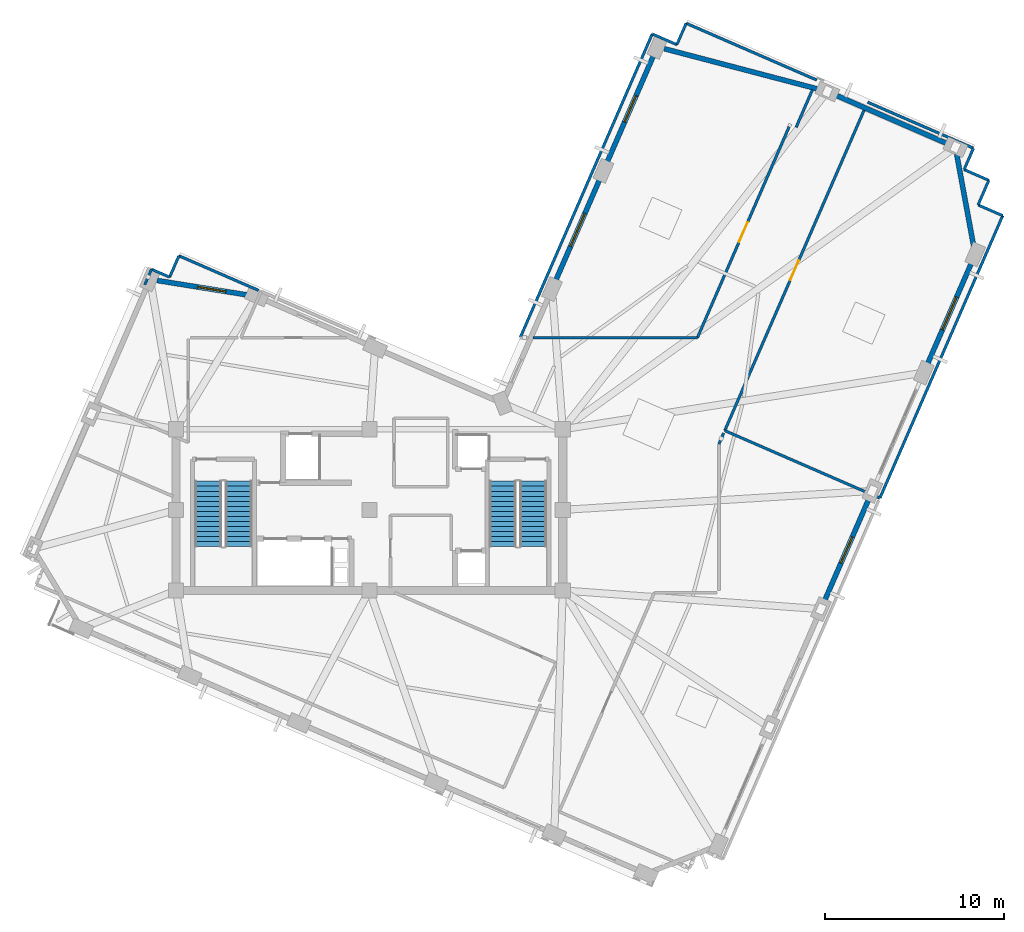
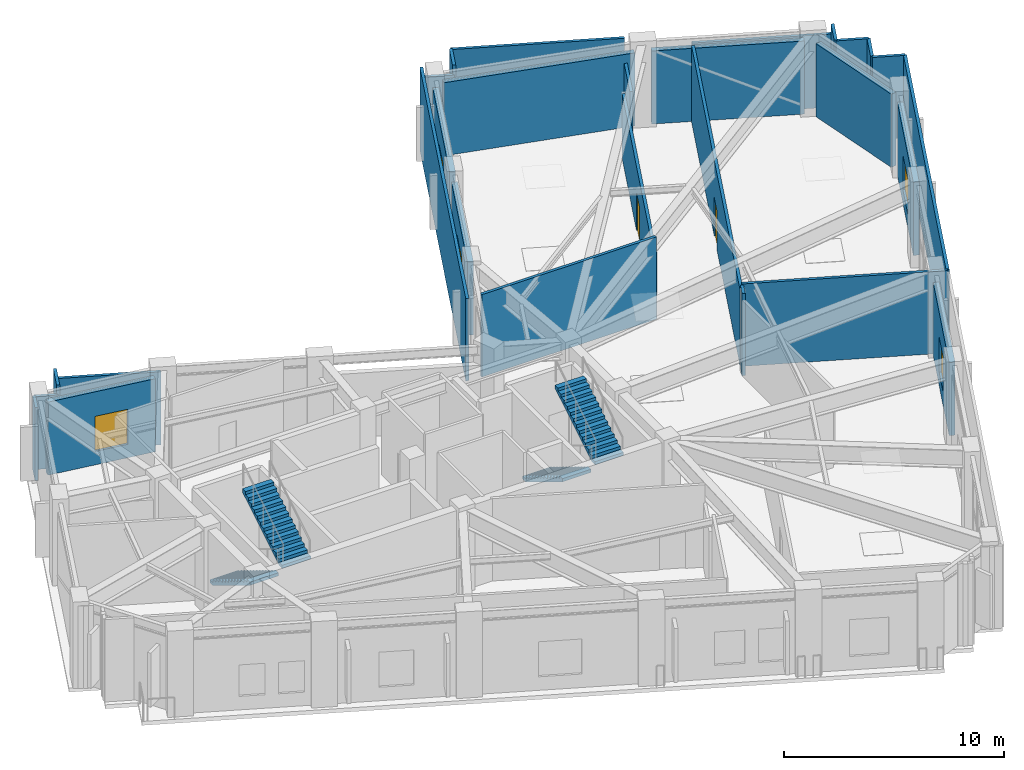
# One storey, part 7 of 11: 28 walls, 5 windows, 4 stair flights, 2 doors, 7 openings, 2 elements without a shape of their own.
"""IFC4 building model written with IfcOpenShell, lengths in metres."""

from ifc_helpers import new_model, si_unit, direction, frame, frame_2d, origin, place, context, subcontext, project, spatial, polyline, rectangle, outline, extrude, material, layer, layer_set, type_object, element, fill, aggregate, save


model = new_model("IFC4")

# Units and contexts
model_context = context("Model", 3, precision=1e-05, world=origin(), true_north=direction((0.0, 1.0)))
body_context = subcontext(model_context, "Body", "Model", "MODEL_VIEW")
ifc_project = project(units=[si_unit("LENGTHUNIT", "METRE"), si_unit("AREAUNIT", "SQUARE_METRE"), si_unit("VOLUMEUNIT", "CUBIC_METRE"), si_unit("PLANEANGLEUNIT", "RADIAN"), si_unit("MASSUNIT", "GRAM", prefix="KILO")], contexts=[model_context])

# Site, building, storey
site_placement = place(None, origin())
site = spatial("IfcSite", under=ifc_project, at=site_placement, CompositionType="ELEMENT")
building_placement = place(site_placement, origin())
building = spatial("IfcBuilding", under=site, at=building_placement, Name="Gaonmaruhae Medical Tower", CompositionType="ELEMENT")
storey_placement = place(building_placement, frame((0.0, 0.0, 328.60009765625)))
storey = spatial("IfcBuildingStorey", under=building, at=storey_placement, Name="L79", CompositionType="ELEMENT", Elevation=328.60009765625)

# Wall, opening, window
ifc_material_1 = material(Name="Precast concrete C45/55", Category="concrete")
ifc_layer_1 = layer(ifc_material_1, 0.280029296875)
ifc_layer_set_1 = layer_set([ifc_layer_1], Name="Precast concrete C45/55")
wall_type_1 = type_object("IfcWallType", Name="EW-280 Upper Precast Masonry-Frame Facade Wall", PredefinedType="SOLIDWALL", material=ifc_layer_set_1)
wall_1_placement = place(storey_placement, frame((52.7294921875, 12.99560546875, 0.0), z_axis=(0.0, 0.0, 1.0), x_axis=(-0.398744230651, -0.917062178112, 0.0)))
wall_1 = element("IfcWall", 1, at=wall_1_placement, inside=storey, type_object=wall_type_1, Name="L79 Precast Masonry-Frame Wall S03-S04", PredefinedType="SOLIDWALL", context=body_context, shape_type="SweptSolid", body=[
    extrude(rectangle(XDim=6.405029296875, YDim=0.280029296875, at=frame_2d((3.20263671875, 0.0))), origin(), (0.0, 0.0, 1.0), 4.06494140625),
])
opening_1_placement = place(wall_1_placement, frame((2.402587890625, 0.0, 0.75)))
opening_1 = element("IfcOpeningElement", 2, at=opening_1_placement, cuts=wall_1, Name="Opening WN-01", PredefinedType="OPENING", context=body_context, shape_type="SweptSolid", body=[
    extrude(rectangle(XDim=1.60009765625, YDim=1.949951171875, at=frame_2d((0.800048828125, 0.97509765625))), frame((0.0, 0.14990234375, 0.0), z_axis=(0.0, -1.0, 0.0), x_axis=(1.0, 0.0, 0.0)), (0.0, 0.0, 1.0), 0.300048828125),
])
ifc_material_2 = material(Name="Anodised aluminium and Low-E double glazing", Category="aluminium")
window_type_1 = type_object("IfcWindowType", Name="WN-01 Ward Punched Acoustic Window 1600x1950", PartitioningType="SINGLE_PANEL", PredefinedType="WINDOW", material=ifc_material_2)
window_1_placement = place(opening_1_placement, origin())
window_1 = element("IfcWindow", 3, at=window_1_placement, inside=storey, type_object=window_type_1, Name="L79 Modular Facade Window S03", OverallHeight=1.949951171875, OverallWidth=1.60009765625, PartitioningType="SINGLE_PANEL", PredefinedType="WINDOW", context=body_context, shape_type="SweptSolid", body=[
    extrude(rectangle(XDim=1.60009765625, YDim=1.949951171875, at=frame_2d((0.800048828125, 0.97509765625))), frame((0.0, 0.030029296875, 0.0), z_axis=(0.0, -1.0, 0.0), x_axis=(1.0, 0.0, 0.0)), (0.0, 0.0, 1.0), 0.06005859375),
])
fill(opening_1, window_1)

wall_2_placement = place(storey_placement, frame((58.4716796875, 26.201171875, 0.0), z_axis=(0.0, 0.0, 1.0), x_axis=(-0.398776286617, -0.917048239316, 0.0)))
wall_2 = element("IfcWall", 4, at=wall_2_placement, inside=storey, type_object=wall_type_1, Name="L79 Precast Masonry-Frame Wall S05-S06", PredefinedType="SOLIDWALL", context=body_context, shape_type="SweptSolid", body=[
    extrude(rectangle(XDim=6.405029296875, YDim=0.280029296875, at=frame_2d((3.20263671875, 0.0))), origin(), (0.0, 0.0, 1.0), 4.06494140625),
])
opening_2_placement = place(wall_2_placement, frame((2.202392578125, 0.0, 0.75)))
opening_2 = element("IfcOpeningElement", 5, at=opening_2_placement, cuts=wall_2, Name="Opening WN-02", PredefinedType="OPENING", context=body_context, shape_type="SweptSolid", body=[
    extrude(rectangle(XDim=2.0, YDim=1.949951171875, at=frame_2d((1.0, 0.97509765625))), frame((0.0, 0.14990234375, 0.0), z_axis=(0.0, -1.0, 0.0), x_axis=(1.0, 0.0, 0.0)), (0.0, 0.0, 1.0), 0.300048828125),
])
window_type_2 = type_object("IfcWindowType", Name="WN-02 Double-Bed Ward Punched Window 2000x1950", PartitioningType="SINGLE_PANEL", PredefinedType="WINDOW", material=ifc_material_2)
window_2_placement = place(opening_2_placement, origin())
window_2 = element("IfcWindow", 6, at=window_2_placement, inside=storey, type_object=window_type_2, Name="L79 Modular Facade Window S05", OverallHeight=1.949951171875, OverallWidth=2.0, PartitioningType="SINGLE_PANEL", PredefinedType="WINDOW", context=body_context, shape_type="SweptSolid", body=[
    extrude(rectangle(XDim=2.0, YDim=1.949951171875, at=frame_2d((1.0, 0.97509765625))), frame((0.0, 0.030029296875, 0.0), z_axis=(0.0, -1.0, 0.0), x_axis=(1.0, 0.0, 0.0)), (0.0, 0.0, 1.0), 0.06005859375),
])
fill(opening_2, window_2)

# Walls
wall_3_placement = place(storey_placement, frame((57.597900390625, 32.16162109375, 0.0), z_axis=(0.0, 0.0, 1.0), x_axis=(0.181421889976, -0.983405357845, 0.0)))
element("IfcWall", 7, at=wall_3_placement, inside=storey, type_object=wall_type_1, Name="L79 Precast Masonry-Frame Wall S06-E01", PredefinedType="SOLIDWALL", context=body_context, shape_type="SweptSolid", body=[
    extrude(rectangle(XDim=5.292724609375, YDim=0.280029296875, at=frame_2d((2.646484375, 0.0))), origin(), (0.0, 0.0, 1.0), 4.06494140625),
])
wall_4_placement = place(storey_placement, frame((50.7373046875, 35.50439453125, 0.0), z_axis=(0.0, 0.0, 1.0), x_axis=(0.917057311373, -0.398755423359, 0.0)))
element("IfcWall", 8, at=wall_4_placement, inside=storey, type_object=wall_type_1, Name="L79 Precast Masonry-Frame Wall E01-E02", PredefinedType="SOLIDWALL", context=body_context, shape_type="SweptSolid", body=[
    extrude(rectangle(XDim=7.0048828125, YDim=0.280029296875, at=frame_2d((3.50244140625, 0.0))), origin(), (0.0, 0.0, 1.0), 4.06494140625),
])
wall_5_placement = place(storey_placement, frame((41.263671875, 38.05419921875, 0.0), z_axis=(0.0, 0.0, 1.0), x_axis=(0.967228971308, -0.253905724755, 0.0)))
element("IfcWall", 9, at=wall_5_placement, inside=storey, type_object=wall_type_1, Name="L79 Precast Masonry-Frame Wall E02-E03", PredefinedType="SOLIDWALL", context=body_context, shape_type="SweptSolid", body=[
    extrude(rectangle(XDim=9.020263671875, YDim=0.280029296875, at=frame_2d((4.51025390625, 0.0))), origin(), (0.0, 0.0, 1.0), 4.06494140625),
])

# Wall, opening, window
wall_6_placement = place(storey_placement, frame((38.027099609375, 31.595947265625, 0.0), z_axis=(0.0, 0.0, 1.0), x_axis=(0.398764437463, 0.917053391802, 0.0)))
wall_6 = element("IfcWall", 10, at=wall_6_placement, inside=storey, type_object=wall_type_1, Name="L79 Precast Masonry-Frame Wall E03-EN01", PredefinedType="SOLIDWALL", context=body_context, shape_type="SweptSolid", body=[
    extrude(rectangle(XDim=6.7548828125, YDim=0.280029296875, at=frame_2d((3.37744140625, 0.0))), origin(), (0.0, 0.0, 1.0), 4.06494140625),
])
opening_3_placement = place(wall_6_placement, frame((2.577392578125, 0.0, 0.75)))
opening_3 = element("IfcOpeningElement", 11, at=opening_3_placement, cuts=wall_6, Name="Opening WN-01", PredefinedType="OPENING", context=body_context, shape_type="SweptSolid", body=[
    extrude(rectangle(XDim=1.60009765625, YDim=1.949951171875, at=frame_2d((0.800048828125, 0.97509765625))), frame((0.0, 0.14990234375, 0.0), z_axis=(0.0, -1.0, 0.0), x_axis=(1.0, 0.0, 0.0)), (0.0, 0.0, 1.0), 0.300048828125),
])
window_3_placement = place(opening_3_placement, origin())
window_3 = element("IfcWindow", 12, at=window_3_placement, inside=storey, type_object=window_type_1, Name="L79 Modular Facade Window E03", OverallHeight=1.949951171875, OverallWidth=1.60009765625, PartitioningType="SINGLE_PANEL", PredefinedType="WINDOW", context=body_context, shape_type="SweptSolid", body=[
    extrude(rectangle(XDim=1.60009765625, YDim=1.949951171875, at=frame_2d((0.800048828125, 0.97509765625))), frame((0.0, 0.030029296875, 0.0), z_axis=(0.0, -1.0, 0.0), x_axis=(1.0, 0.0, 0.0)), (0.0, 0.0, 1.0), 0.06005859375),
])
fill(opening_3, window_3)

wall_7_placement = place(storey_placement, frame((35.156005859375, 24.9931640625, 0.0), z_axis=(0.0, 0.0, 1.0), x_axis=(0.398758169539, 0.917056117272, 0.0)))
wall_7 = element("IfcWall", 13, at=wall_7_placement, inside=storey, type_object=wall_type_1, Name="L79 Precast Masonry-Frame Wall EN01-EN02", PredefinedType="SOLIDWALL", context=body_context, shape_type="SweptSolid", body=[
    extrude(rectangle(XDim=6.40478515625, YDim=0.280029296875, at=frame_2d((3.202392578125, 0.0))), origin(), (0.0, 0.0, 1.0), 4.06494140625),
])
opening_4_placement = place(wall_7_placement, frame((2.202392578125, 0.0, 0.75)))
opening_4 = element("IfcOpeningElement", 14, at=opening_4_placement, cuts=wall_7, Name="Opening WN-02", PredefinedType="OPENING", context=body_context, shape_type="SweptSolid", body=[
    extrude(rectangle(XDim=2.0, YDim=1.949951171875, at=frame_2d((1.0, 0.97509765625))), frame((0.0, 0.14990234375, 0.0), z_axis=(0.0, -1.0, 0.0), x_axis=(1.0, 0.0, 0.0)), (0.0, 0.0, 1.0), 0.300048828125),
])
window_4_placement = place(opening_4_placement, origin())
window_4 = element("IfcWindow", 15, at=window_4_placement, inside=storey, type_object=window_type_2, Name="L79 Modular Facade Window EN01", OverallHeight=1.949951171875, OverallWidth=2.0, PartitioningType="SINGLE_PANEL", PredefinedType="WINDOW", context=body_context, shape_type="SweptSolid", body=[
    extrude(rectangle(XDim=2.0, YDim=1.949951171875, at=frame_2d((1.0, 0.97509765625))), frame((0.0, 0.030029296875, 0.0), z_axis=(0.0, -1.0, 0.0), x_axis=(1.0, 0.0, 0.0)), (0.0, 0.0, 1.0), 0.06005859375),
])
fill(opening_4, window_4)

wall_8_placement = place(storey_placement, frame((12.94580078125, 25.1103515625, 0.0), z_axis=(0.0, 0.0, 1.0), x_axis=(0.987363821305, -0.158469821666, 0.0)))
wall_8 = element("IfcWall", 16, at=wall_8_placement, inside=storey, type_object=wall_type_1, Name="L79 Precast Masonry-Frame Wall NE02-N01", PredefinedType="SOLIDWALL", context=body_context, shape_type="SweptSolid", body=[
    extrude(rectangle(XDim=5.244140625, YDim=0.280029296875, at=frame_2d((2.6220703125, 0.0))), origin(), (0.0, 0.0, 1.0), 4.06494140625),
])
opening_5_placement = place(wall_8_placement, frame((2.2890625, 0.0, 0.75)))
opening_5 = element("IfcOpeningElement", 17, at=opening_5_placement, cuts=wall_8, Name="Opening WN-01", PredefinedType="OPENING", context=body_context, shape_type="SweptSolid", body=[
    extrude(rectangle(XDim=1.60009765625, YDim=1.949951171875, at=frame_2d((0.800048828125, 0.97509765625))), frame((0.0, 0.14990234375, 0.0), z_axis=(0.0, -1.0, 0.0), x_axis=(1.0, 0.0, 0.0)), (0.0, 0.0, 1.0), 0.300048828125),
])
window_5_placement = place(opening_5_placement, origin())
window_5 = element("IfcWindow", 18, at=window_5_placement, inside=storey, type_object=window_type_1, Name="L79 Modular Facade Window NE02", OverallHeight=1.949951171875, OverallWidth=1.60009765625, PartitioningType="SINGLE_PANEL", PredefinedType="WINDOW", context=body_context, shape_type="SweptSolid", body=[
    extrude(rectangle(XDim=1.60009765625, YDim=1.949951171875, at=frame_2d((0.800048828125, 0.97509765625))), frame((0.0, 0.030029296875, 0.0), z_axis=(0.0, -1.0, 0.0), x_axis=(1.0, 0.0, 0.0)), (0.0, 0.0, 1.0), 0.06005859375),
])
fill(opening_5, window_5)

# Walls
ifc_material_3 = material(Name="Gypsum board partition", Category="gypsum")
ifc_layer_2 = layer(ifc_material_3, 0.14990234375)
ifc_layer_set_2 = layer_set([ifc_layer_2], Name="Gypsum board partition")
wall_type_2 = type_object("IfcWallType", Name="PW-150 Rated Clinical Corridor Partition", PredefinedType="PARTITIONING", material=ifc_layer_set_2)
for number, where, z_axis, x_axis, name in (
    (19, (59.39404296875, 30.7041015625, 0.0), (0.0, 0.0, 1.0), (-0.398904712107, -0.916992383097, 0.0), "L79 Interior Partition L79-SKYG-8"),
    (20, (58.7958984375, 29.3291015625, 0.0), (0.0, 0.0, 1.0), (0.916992383097, -0.398904712107, 0.0), "L79 Interior Partition L79-SKYG-9"),
):
    element("IfcWall", number, at=place(storey_placement, frame(where, z_axis=z_axis, x_axis=x_axis)), inside=storey, type_object=wall_type_2, Name=name, PredefinedType="PARTITIONING", context=body_context, shape_type="SweptSolid", body=[
        extrude(rectangle(XDim=1.49951171875, YDim=0.14990234375, at=frame_2d((0.749755859375, 0.0))), origin(), (0.0, 0.0, 1.0), 4.579833984375),
    ])
wall_9_placement = place(storey_placement, frame((60.1708984375, 28.73095703125, 0.0), z_axis=(0.0, 0.0, 1.0), x_axis=(-0.39871054079, -0.917076825933, 0.0)))
element("IfcWall", 21, at=wall_9_placement, inside=storey, type_object=wall_type_2, Name="L79 Interior Partition L79-SKYG-10", PredefinedType="PARTITIONING", context=body_context, shape_type="SweptSolid", body=[
    extrude(rectangle(XDim=17.2001953125, YDim=0.14990234375, at=frame_2d((8.60009765625, 0.0))), origin(), (0.0, 0.0, 1.0), 4.579833984375),
])
wall_10_placement = place(storey_placement, frame((53.31298828125, 12.95703125, 0.0), z_axis=(0.0, 0.0, 1.0), x_axis=(-0.917023227373, 0.398833800546, 0.0)))
element("IfcWall", 22, at=wall_10_placement, inside=storey, type_object=wall_type_2, Name="L79 Interior Partition L79-SKYG-11", PredefinedType="PARTITIONING", context=body_context, shape_type="SweptSolid", body=[
    extrude(rectangle(XDim=9.4501953125, YDim=0.14990234375, at=frame_2d((4.72509765625, 0.0))), origin(), (0.0, 0.0, 1.0), 4.579833984375),
])

# Wall, opening, door
wall_11_placement = place(storey_placement, frame((44.64697265625, 16.72607421875, 0.0), z_axis=(0.0, 0.0, 1.0), x_axis=(0.398722455525, 0.917071645762, 0.0)))
wall_11 = element("IfcWall", 23, at=wall_11_placement, inside=storey, type_object=wall_type_2, Name="L79 Interior Partition L79-SKYG-12", PredefinedType="PARTITIONING", context=body_context, shape_type="SweptSolid", body=[
    extrude(rectangle(XDim=19.53515625, YDim=0.14990234375, at=frame_2d((9.767578125, 0.0))), origin(), (0.0, 0.0, 1.0), 4.21484375),
])
opening_6_placement = place(wall_11_placement, frame((9.16748046875, 0.0, 0.0)))
opening_6 = element("IfcOpeningElement", 24, at=opening_6_placement, cuts=wall_11, Name="Opening CD-02", PredefinedType="OPENING", context=body_context, shape_type="SweptSolid", body=[
    extrude(rectangle(XDim=1.199951171875, YDim=2.14990234375, at=frame_2d((0.60009765625, 1.074951171875))), frame((0.0, 0.0849609375, 0.0), z_axis=(0.0, -1.0, 0.0), x_axis=(1.0, 0.0, 0.0)), (0.0, 0.0, 1.0), 0.169921875),
])
ifc_material_4 = material(Name="Antimicrobial laminate timber fire door", Category="wood")
door_type = type_object("IfcDoorType", Name="CD-02 Clinical Treatment & Procedure Door 1200x2150", OperationType="NOTDEFINED", PredefinedType="DOOR", material=ifc_material_4)
door_1_placement = place(opening_6_placement, origin())
door_1 = element("IfcDoor", 25, at=door_1_placement, inside=storey, type_object=door_type, Name="L79 Stacked Botanical Rehabilitation Sky Garden Door", OperationType="SINGLE_SWING_RIGHT", OverallHeight=2.14990234375, OverallWidth=1.199951171875, PredefinedType="DOOR", context=body_context, shape_type="SweptSolid", body=[
    extrude(rectangle(XDim=1.199951171875, YDim=2.14990234375, at=frame_2d((0.60009765625, 1.074951171875))), frame((0.0, 0.02490234375, 0.0), z_axis=(0.0, -1.0, 0.0), x_axis=(1.0, 0.0, 0.0)), (0.0, 0.0, 1.0), 0.050048828125),
])
fill(opening_6, door_1)

# Walls
wall_12_placement = place(storey_placement, frame((52.62109375, 35.06689453125, 0.0), z_axis=(0.0, 0.0, 1.0), x_axis=(0.917092918999, -0.398673522975, 0.0)))
element("IfcWall", 26, at=wall_12_placement, inside=storey, type_object=wall_type_2, Name="L79 Interior Partition L79-SKYG-13", PredefinedType="PARTITIONING", context=body_context, shape_type="SweptSolid", body=[
    extrude(rectangle(XDim=6.450927734375, YDim=0.14990234375, at=frame_2d((3.2255859375, 0.0))), origin(), (0.0, 0.0, 1.0), 4.06494140625),
])
wall_13_placement = place(storey_placement, frame((58.537109375, 32.4951171875, 0.0), z_axis=(0.0, 0.0, 1.0), x_axis=(-0.3991929402, -0.916866945906, 0.0)))
element("IfcWall", 27, at=wall_13_placement, inside=storey, type_object=wall_type_2, Name="L79 Interior Partition L79-SKYG-14", PredefinedType="PARTITIONING", context=body_context, shape_type="SweptSolid", body=[
    extrude(rectangle(XDim=1.30029296875, YDim=0.14990234375, at=frame_2d((0.650146484375, 0.0))), origin(), (0.0, 0.0, 1.0), 4.579833984375),
])
wall_14_placement = place(storey_placement, frame((58.01806640625, 31.302978515625, 0.0), z_axis=(0.0, 0.0, 1.0), x_axis=(0.91691738696, -0.399077067107, 0.0)))
element("IfcWall", 28, at=wall_14_placement, inside=storey, type_object=wall_type_2, Name="L79 Interior Partition L79-SKYG-15", PredefinedType="PARTITIONING", context=body_context, shape_type="SweptSolid", body=[
    extrude(rectangle(XDim=1.500732421875, YDim=0.14990234375, at=frame_2d((0.75048828125, 0.0))), origin(), (0.0, 0.0, 1.0), 4.579833984375),
])
wall_15_placement = place(storey_placement, frame((44.320068359375, 15.97509765625, 0.0), z_axis=(0.0, 0.0, 1.0), x_axis=(0.399246957759, 0.916843425411, 0.0)))
element("IfcWall", 29, at=wall_15_placement, inside=storey, type_object=wall_type_2, Name="L79 Interior Partition L79-HYDR-17", PredefinedType="PARTITIONING", context=body_context, shape_type="SweptSolid", body=[
    extrude(rectangle(XDim=0.66845703125, YDim=0.14990234375, at=frame_2d((0.334228515625, 0.0))), origin(), (0.0, 0.0, 1.0), 4.579833984375),
])

# Wall, opening, door
wall_16_placement = place(storey_placement, frame((48.242919921875, 33.698974609375, 0.0), z_axis=(0.0, 0.0, 1.0), x_axis=(-0.398758777505, -0.917055852913, 0.0)))
wall_16 = element("IfcWall", 30, at=wall_16_placement, inside=storey, type_object=wall_type_2, Name="L79 Interior Partition L79-CONS-25", PredefinedType="PARTITIONING", context=body_context, shape_type="SweptSolid", body=[
    extrude(rectangle(XDim=12.844482421875, YDim=0.14990234375, at=frame_2d((6.42236328125, 0.0))), origin(), (0.0, 0.0, 1.0), 3.56494140625),
])
opening_7_placement = place(wall_16_placement, frame((5.822265625, 0.0, 0.0)))
opening_7 = element("IfcOpeningElement", 31, at=opening_7_placement, cuts=wall_16, Name="Opening CD-02", PredefinedType="OPENING", context=body_context, shape_type="SweptSolid", body=[
    extrude(rectangle(XDim=1.199951171875, YDim=2.14990234375, at=frame_2d((0.60009765625, 1.074951171875))), frame((0.0, 0.0849609375, 0.0), z_axis=(0.0, -1.0, 0.0), x_axis=(1.0, 0.0, 0.0)), (0.0, 0.0, 1.0), 0.169921875),
])
door_2_placement = place(opening_7_placement, origin())
door_2 = element("IfcDoor", 32, at=door_2_placement, inside=storey, type_object=door_type, Name="L79 Rehabilitation Physician Consultation Suite Door", OperationType="SINGLE_SWING_LEFT", OverallHeight=2.14990234375, OverallWidth=1.199951171875, PredefinedType="DOOR", context=body_context, shape_type="SweptSolid", body=[
    extrude(rectangle(XDim=1.199951171875, YDim=2.14990234375, at=frame_2d((0.60009765625, 1.074951171875))), frame((0.0, 0.02490234375, 0.0), z_axis=(0.0, -1.0, 0.0), x_axis=(1.0, 0.0, 0.0)), (0.0, 0.0, 1.0), 0.050048828125),
])
fill(opening_7, door_2)

# Walls
wall_17_placement = place(storey_placement, frame((43.12109375, 21.919921875, 0.0), z_axis=(0.0, 0.0, 1.0), x_axis=(-1.0, 0.0, 0.0)))
element("IfcWall", 33, at=wall_17_placement, inside=storey, type_object=wall_type_2, Name="L79 Interior Partition L79-CONS-26", PredefinedType="PARTITIONING", context=body_context, shape_type="SweptSolid", body=[
    extrude(rectangle(XDim=9.176025390625, YDim=0.14990234375, at=frame_2d((4.587890625, 0.0))), origin(), (0.0, 0.0, 1.0), 4.579833984375),
])
wall_18_placement = place(storey_placement, frame((33.219970703125, 21.919921875, 0.0), z_axis=(0.0, 0.0, 1.0), x_axis=(0.39875121383, 0.917059141751, 0.0)))
element("IfcWall", 34, at=wall_18_placement, inside=storey, type_object=wall_type_2, Name="L79 Interior Partition L79-CONS-28", PredefinedType="PARTITIONING", context=body_context, shape_type="SweptSolid", body=[
    extrude(rectangle(XDim=18.49267578125, YDim=0.14990234375, at=frame_2d((9.246337890625, 0.0))), origin(), (0.0, 0.0, 1.0), 4.579833984375),
])
wall_19_placement = place(storey_placement, frame((40.593994140625, 38.87890625, 0.0), z_axis=(0.0, 0.0, 1.0), x_axis=(0.91715541112, -0.398529737728, 0.0)))
element("IfcWall", 35, at=wall_19_placement, inside=storey, type_object=wall_type_2, Name="L79 Interior Partition L79-CONS-29", PredefinedType="PARTITIONING", context=body_context, shape_type="SweptSolid", body=[
    extrude(rectangle(XDim=1.500244140625, YDim=0.14990234375, at=frame_2d((0.75, 0.0))), origin(), (0.0, 0.0, 1.0), 4.06494140625),
])
wall_20_placement = place(storey_placement, frame((41.969970703125, 38.281005859375, 0.0), z_axis=(0.0, 0.0, 1.0), x_axis=(0.398629941404, 0.917111863306, 0.0)))
element("IfcWall", 36, at=wall_20_placement, inside=storey, type_object=wall_type_2, Name="L79 Interior Partition L79-CONS-30", PredefinedType="PARTITIONING", context=body_context, shape_type="SweptSolid", body=[
    extrude(rectangle(XDim=1.299560546875, YDim=0.14990234375, at=frame_2d((0.64990234375, 0.0))), origin(), (0.0, 0.0, 1.0), 4.579833984375),
])
wall_21_placement = place(storey_placement, frame((42.488037109375, 39.472900390625, 0.0), z_axis=(0.0, 0.0, 1.0), x_axis=(0.917073961881, -0.398717128351, 0.0)))
element("IfcWall", 37, at=wall_21_placement, inside=storey, type_object=wall_type_2, Name="L79 Interior Partition L79-CONS-31", PredefinedType="PARTITIONING", context=body_context, shape_type="SweptSolid", body=[
    extrude(rectangle(XDim=7.9501953125, YDim=0.14990234375, at=frame_2d((3.97509765625, 0.0))), origin(), (0.0, 0.0, 1.0), 4.579833984375),
])
wall_22_placement = place(storey_placement, frame((49.54296875, 35.761962890625, 0.0), z_axis=(0.0, 0.0, 1.0), x_axis=(-0.398765098315, -0.917053104441, 0.0)))
element("IfcWall", 38, at=wall_22_placement, inside=storey, type_object=wall_type_2, Name="L79 Interior Partition L79-CONS-32", PredefinedType="PARTITIONING", context=body_context, shape_type="SweptSolid", body=[
    extrude(rectangle(XDim=2.289794921875, YDim=0.14990234375, at=frame_2d((1.14501953125, 0.0))), origin(), (0.0, 0.0, 1.0), 3.56494140625),
])
wall_23_placement = place(storey_placement, frame((14.162109375, 26.490966796875, 0.0), z_axis=(0.0, 0.0, 1.0), x_axis=(0.917057251911, -0.39875556011, 0.0)))
element("IfcWall", 39, at=wall_23_placement, inside=storey, type_object=wall_type_2, Name="L79 Interior Partition L79-HSK-45", PredefinedType="PARTITIONING", context=body_context, shape_type="SweptSolid", body=[
    extrude(rectangle(XDim=4.850341796875, YDim=0.14990234375, at=frame_2d((2.42529296875, 0.0))), origin(), (0.0, 0.0, 1.0), 4.06494140625),
])
wall_24_placement = place(storey_placement, frame((12.257080078125, 24.868896484375, 0.0), z_axis=(0.0, 0.0, 1.0), x_axis=(0.398763788566, 0.917053673963, 0.0)))
element("IfcWall", 40, at=wall_24_placement, inside=storey, type_object=wall_type_2, Name="L79 Interior Partition L79-HSK-49", PredefinedType="PARTITIONING", context=body_context, shape_type="SweptSolid", body=[
    extrude(rectangle(XDim=0.94775390625, YDim=0.14990234375, at=frame_2d((0.473876953125, 0.0))), origin(), (0.0, 0.0, 1.0), 4.06494140625),
])
wall_25_placement = place(storey_placement, frame((12.635009765625, 25.738037109375, 0.0), z_axis=(0.0, 0.0, 1.0), x_axis=(0.916985379611, -0.398920811164, 0.0)))
element("IfcWall", 41, at=wall_25_placement, inside=storey, type_object=wall_type_2, Name="L79 Interior Partition L79-HSK-50", PredefinedType="PARTITIONING", context=body_context, shape_type="SweptSolid", body=[
    extrude(rectangle(XDim=1.100341796875, YDim=0.14990234375, at=frame_2d((0.55029296875, 0.0))), origin(), (0.0, 0.0, 1.0), 4.06494140625),
])
wall_26_placement = place(storey_placement, frame((13.64404296875, 25.299072265625, 0.0), z_axis=(0.0, 0.0, 1.0), x_axis=(0.398629941404, 0.917111863306, 0.0)))
element("IfcWall", 42, at=wall_26_placement, inside=storey, type_object=wall_type_2, Name="L79 Interior Partition L79-HSK-51", PredefinedType="PARTITIONING", context=body_context, shape_type="SweptSolid", body=[
    extrude(rectangle(XDim=1.299560546875, YDim=0.14990234375, at=frame_2d((0.64990234375, 0.0))), origin(), (0.0, 0.0, 1.0), 4.579833984375),
])

# Stair, stair flights
ifc_material_5 = material(Name="Concrete C40/50", Category="concrete")
stair_type = type_object("IfcStairType", Name="ST-T1 Primary Core Escape Dogleg Stair", PredefinedType="TWO_QUARTER_TURN_STAIR", material=ifc_material_5)
stair_1_placement = place(storey_placement, origin())
stair_1 = element("IfcStair", 43, at=stair_1_placement, inside=storey, type_object=stair_type, Name="L79 Protected Escape Stair ST-01", PredefinedType="TWO_QUARTER_TURN_STAIR")
stair_flight_type = type_object("IfcStairFlightType", Name="SF-T1 Primary Core Precast Stair Flight", PredefinedType="STRAIGHT", material=ifc_material_5)
stair_flight_1_placement = place(storey_placement, frame((15.800048828125, 13.89990234375, 0.0), z_axis=(0.0, 0.0, 1.0), x_axis=(0.0, -1.0, 0.0)))
stair_flight_1 = element("IfcStairFlight", 44, at=stair_flight_1_placement, type_object=stair_flight_type, Name="ST-01 flight 1", NumberOfRisers=14, NumberOfTreads=13, PredefinedType="STRAIGHT", RiserHeight=0.171428571, TreadLength=0.28, context=body_context, shape_type="SweptSolid", body=[
    extrude(outline(polyline([(0.0, 0.0), (0.0, 0.17138671875), (0.280029296875, 0.17138671875), (0.280029296875, 0.3427734375), (0.56005859375, 0.3427734375), (0.56005859375, 0.514404296875), (0.840087890625, 0.514404296875), (0.840087890625, 0.685791015625), (1.1201171875, 0.685791015625), (1.1201171875, 0.857177734375), (1.39990234375, 0.857177734375), (1.39990234375, 1.028564453125), (1.679931640625, 1.028564453125), (1.679931640625, 1.199951171875), (1.9599609375, 1.199951171875), (1.9599609375, 1.371337890625), (2.239990234375, 1.371337890625), (2.239990234375, 1.54296875), (2.52001953125, 1.54296875), (2.52001953125, 1.71435546875), (2.800048828125, 1.71435546875), (2.800048828125, 1.8857421875), (3.080078125, 1.8857421875), (3.080078125, 2.05712890625), (3.360107421875, 2.05712890625), (3.360107421875, 2.228515625), (3.639892578125, 2.228515625), (3.639892578125, 2.39990234375), (3.639892578125, 2.052734375), (0.287109375, 0.0), (0.0, 0.0)])), frame((0.0, 0.75, 0.0), z_axis=(0.0, -1.0, 0.0), x_axis=(1.0, 0.0, 0.0)), (0.0, 0.0, 1.0), 1.5),
])
stair_flight_2_placement = place(storey_placement, frame((17.5, 10.260009765625, 2.39990234375), z_axis=(0.0, 0.0, 1.0), x_axis=(0.0, 1.0, 0.0)))
stair_flight_2 = element("IfcStairFlight", 45, at=stair_flight_2_placement, type_object=stair_flight_type, Name="ST-01 flight 2", NumberOfRisers=14, NumberOfTreads=13, PredefinedType="STRAIGHT", RiserHeight=0.171428571, TreadLength=0.28, context=body_context, shape_type="SweptSolid", body=[
    extrude(outline(polyline([(0.0, 0.0), (0.0, 0.17138671875), (0.280029296875, 0.17138671875), (0.280029296875, 0.3427734375), (0.56005859375, 0.3427734375), (0.56005859375, 0.514404296875), (0.840087890625, 0.514404296875), (0.840087890625, 0.685791015625), (1.1201171875, 0.685791015625), (1.1201171875, 0.857177734375), (1.39990234375, 0.857177734375), (1.39990234375, 1.028564453125), (1.679931640625, 1.028564453125), (1.679931640625, 1.199951171875), (1.9599609375, 1.199951171875), (1.9599609375, 1.371337890625), (2.239990234375, 1.371337890625), (2.239990234375, 1.54296875), (2.52001953125, 1.54296875), (2.52001953125, 1.71435546875), (2.800048828125, 1.71435546875), (2.800048828125, 1.8857421875), (3.080078125, 1.8857421875), (3.080078125, 2.05712890625), (3.360107421875, 2.05712890625), (3.360107421875, 2.228515625), (3.639892578125, 2.228515625), (3.639892578125, 2.39990234375), (3.639892578125, 2.052734375), (0.287109375, 0.0), (0.0, 0.0)])), frame((0.0, 0.75, 0.0), z_axis=(0.0, -1.0, 0.0), x_axis=(1.0, 0.0, 0.0)), (0.0, 0.0, 1.0), 1.5),
])
aggregate(stair_1, [stair_flight_1, stair_flight_2])

stair_2_placement = place(storey_placement, origin())
stair_2 = element("IfcStair", 46, at=stair_2_placement, inside=storey, type_object=stair_type, Name="L79 Protected Escape Stair ST-02", PredefinedType="TWO_QUARTER_TURN_STAIR")
stair_flight_3_placement = place(storey_placement, frame((32.25, 13.89990234375, 0.0), z_axis=(0.0, 0.0, 1.0), x_axis=(0.0, -1.0, 0.0)))
stair_flight_3 = element("IfcStairFlight", 47, at=stair_flight_3_placement, type_object=stair_flight_type, Name="ST-02 flight 1", NumberOfRisers=14, NumberOfTreads=13, PredefinedType="STRAIGHT", RiserHeight=0.171428571, TreadLength=0.28, context=body_context, shape_type="SweptSolid", body=[
    extrude(outline(polyline([(0.0, 0.0), (0.0, 0.17138671875), (0.280029296875, 0.17138671875), (0.280029296875, 0.3427734375), (0.56005859375, 0.3427734375), (0.56005859375, 0.514404296875), (0.840087890625, 0.514404296875), (0.840087890625, 0.685791015625), (1.1201171875, 0.685791015625), (1.1201171875, 0.857177734375), (1.39990234375, 0.857177734375), (1.39990234375, 1.028564453125), (1.679931640625, 1.028564453125), (1.679931640625, 1.199951171875), (1.9599609375, 1.199951171875), (1.9599609375, 1.371337890625), (2.239990234375, 1.371337890625), (2.239990234375, 1.54296875), (2.52001953125, 1.54296875), (2.52001953125, 1.71435546875), (2.800048828125, 1.71435546875), (2.800048828125, 1.8857421875), (3.080078125, 1.8857421875), (3.080078125, 2.05712890625), (3.360107421875, 2.05712890625), (3.360107421875, 2.228515625), (3.639892578125, 2.228515625), (3.639892578125, 2.39990234375), (3.639892578125, 2.052734375), (0.287109375, 0.0), (0.0, 0.0)])), frame((0.0, 0.75, 0.0), z_axis=(0.0, -1.0, 0.0), x_axis=(1.0, 0.0, 0.0)), (0.0, 0.0, 1.0), 1.5),
])
stair_flight_4_placement = place(storey_placement, frame((33.949951171875, 10.260009765625, 2.39990234375), z_axis=(0.0, 0.0, 1.0), x_axis=(0.0, 1.0, 0.0)))
stair_flight_4 = element("IfcStairFlight", 48, at=stair_flight_4_placement, type_object=stair_flight_type, Name="ST-02 flight 2", NumberOfRisers=14, NumberOfTreads=13, PredefinedType="STRAIGHT", RiserHeight=0.171428571, TreadLength=0.28, context=body_context, shape_type="SweptSolid", body=[
    extrude(outline(polyline([(0.0, 0.0), (0.0, 0.17138671875), (0.280029296875, 0.17138671875), (0.280029296875, 0.3427734375), (0.56005859375, 0.3427734375), (0.56005859375, 0.514404296875), (0.840087890625, 0.514404296875), (0.840087890625, 0.685791015625), (1.1201171875, 0.685791015625), (1.1201171875, 0.857177734375), (1.39990234375, 0.857177734375), (1.39990234375, 1.028564453125), (1.679931640625, 1.028564453125), (1.679931640625, 1.199951171875), (1.9599609375, 1.199951171875), (1.9599609375, 1.371337890625), (2.239990234375, 1.371337890625), (2.239990234375, 1.54296875), (2.52001953125, 1.54296875), (2.52001953125, 1.71435546875), (2.800048828125, 1.71435546875), (2.800048828125, 1.8857421875), (3.080078125, 1.8857421875), (3.080078125, 2.05712890625), (3.360107421875, 2.05712890625), (3.360107421875, 2.228515625), (3.639892578125, 2.228515625), (3.639892578125, 2.39990234375), (3.639892578125, 2.052734375), (0.287109375, 0.0), (0.0, 0.0)])), frame((0.0, 0.75, 0.0), z_axis=(0.0, -1.0, 0.0), x_axis=(1.0, 0.0, 0.0)), (0.0, 0.0, 1.0), 1.5),
])
aggregate(stair_2, [stair_flight_3, stair_flight_4])

save(model, "model.ifc")
